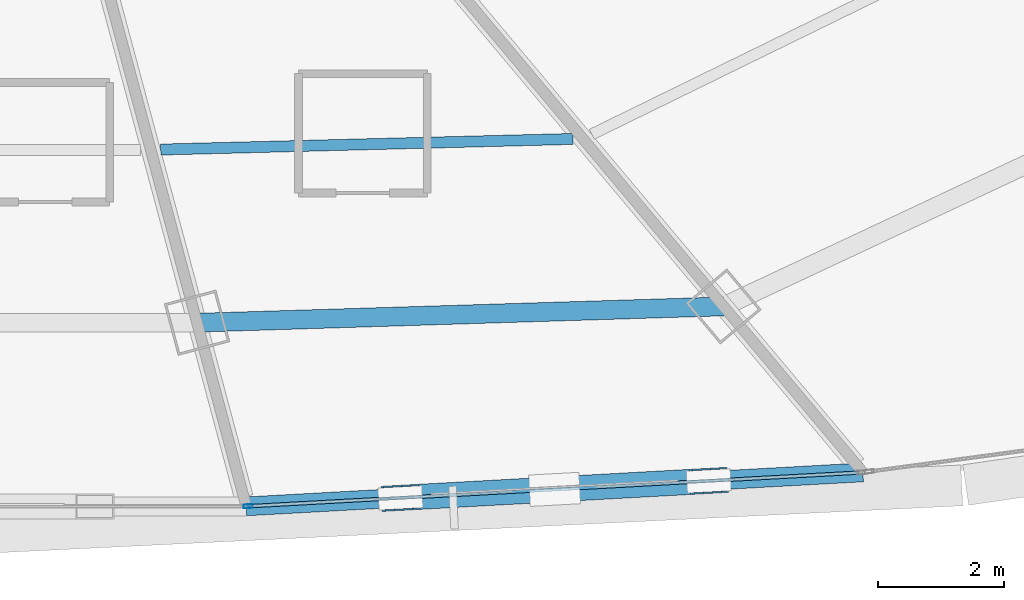
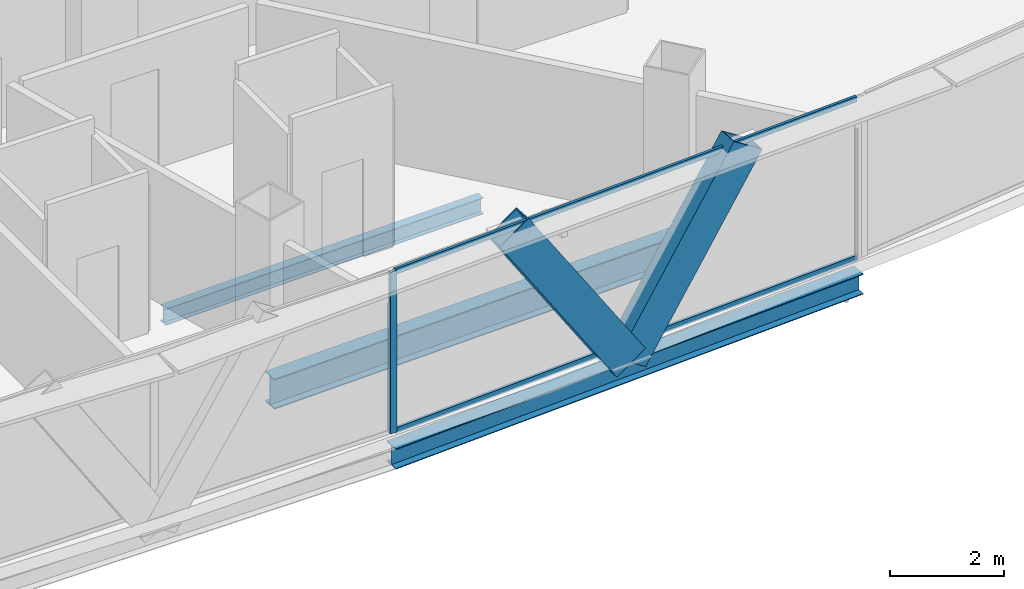
# One storey, part 10 of 34: 5 members, 3 beams, 1 element without a shape of its own.
"""IFC4 building model written with IfcOpenShell, lengths in metres."""

from ifc_helpers import new_model, si_unit, direction, frame, origin, origin_2d, place, context, subcontext, project, spatial, hollow_rectangle, i_section, extrude, source, transform, mapped, material, layer, layer_set, material_profile, profile_set, type_object, element, aggregate, save


model = new_model("IFC4")

# Units and contexts
model_context = context("Model", 3, precision=1e-05, world=origin(), true_north=direction((0.0, 1.0)))
body_context = subcontext(model_context, "Body", "Model", "MODEL_VIEW")
ifc_project = project(units=[si_unit("LENGTHUNIT", "METRE"), si_unit("AREAUNIT", "SQUARE_METRE"), si_unit("VOLUMEUNIT", "CUBIC_METRE"), si_unit("PLANEANGLEUNIT", "RADIAN"), si_unit("MASSUNIT", "GRAM", prefix="KILO"), si_unit("THERMODYNAMICTEMPERATUREUNIT", "KELVIN"), si_unit("POWERUNIT", "WATT")], contexts=[model_context])

# Site, building, storey
site_placement = place(None, origin())
site = spatial("IfcSite", under=ifc_project, at=site_placement, CompositionType="ELEMENT")
building_placement = place(site_placement, origin())
building = spatial("IfcBuilding", under=site, at=building_placement, Name="Yunzhuo Pagoda Commons", CompositionType="ELEMENT")
storey_placement = place(building_placement, frame((0.0, 0.0, 233.340087890625)))
storey = spatial("IfcBuildingStorey", under=building, at=storey_placement, Name="L58", CompositionType="ELEMENT", Elevation=233.340087890625)

# Beams
ifc_material_1 = material(Name="Structural steel Q355B", Category="steel")
ifc_material_profile_1 = material_profile(ifc_material_1, i_section(OverallWidth=0.300048828125, OverallDepth=0.43994140625, WebThickness=0.010986328125, FlangeThickness=0.01806640625, at=origin_2d()), Name="Structural steel Q355B")
ifc_profile_set_1 = profile_set([ifc_material_profile_1], Name="Structural steel Q355B")
beam_type_1 = type_object("IfcBeamType", Name="B-SP2 Beam HM 440x300x11x18", PredefinedType="BEAM", material=ifc_profile_set_1)
shared_shape_1 = source(origin(), body_context, "Body", "SweptSolid", [
    extrude(i_section(OverallWidth=0.300048828125, OverallDepth=0.43994140625, WebThickness=0.010986328125, FlangeThickness=0.01806640625, at=origin_2d()), origin(), (0.0, 0.0, 1.0), 9.823486328125),
])
beam_1_placement = place(storey_placement, frame((52.814208984375, 15.7333984375, -0.47998046875), z_axis=(0.998486395032, 0.054999263048, 0.0), x_axis=(-0.054999263048, 0.998486395032, 0.0)))
element("IfcBeam", 1, at=beam_1_placement, inside=storey, type_object=beam_type_1, Name="L58 facade edge spandrel beam F1.3", PredefinedType="BEAM", context=body_context, shape_type="MappedRepresentation", body=[
    mapped(shared_shape_1, transform((0.0, 0.0, 0.0), scale=1.0)),
])
ifc_material_profile_2 = material_profile(ifc_material_1, i_section(OverallWidth=0.300048828125, OverallDepth=0.64990234375, WebThickness=0.012939453125, FlangeThickness=0.02197265625, at=origin_2d()), Name="Structural steel Q355B")
ifc_profile_set_2 = profile_set([ifc_material_profile_2], Name="Structural steel Q355B")
beam_type_2 = type_object("IfcBeamType", Name="B-RG2 Beam HN 650x300x13x22", PredefinedType="BEAM", material=ifc_profile_set_2)
shared_shape_2 = source(origin(), body_context, "Body", "SweptSolid", [
    extrude(i_section(OverallWidth=0.300048828125, OverallDepth=0.64990234375, WebThickness=0.012939453125, FlangeThickness=0.02197265625, at=origin_2d()), origin(), (0.0, 0.0, 1.0), 8.37939453125),
])
beam_2_placement = place(storey_placement, frame((52.031494140625, 18.654052734375, -0.585205078125), z_axis=(0.999519382133, 0.031000076447, 0.0), x_axis=(-0.031000076447, 0.999519382133, 0.0)))
element("IfcBeam", 2, at=beam_2_placement, inside=storey, type_object=beam_type_2, Name="L58 column-ring beam 3", PredefinedType="BEAM", context=body_context, shape_type="MappedRepresentation", body=[
    mapped(shared_shape_2, transform((0.0, 0.0, 0.0), scale=1.0)),
])
ifc_material_profile_3 = material_profile(ifc_material_1, i_section(OverallWidth=0.175048828125, OverallDepth=0.35009765625, WebThickness=0.007080078125, FlangeThickness=0.010986328125, at=origin_2d()), Name="Structural steel Q355B")
ifc_profile_set_3 = profile_set([ifc_material_profile_3], Name="Structural steel Q355B")
beam_type_3 = type_object("IfcBeamType", Name="B-JS2 Joist HN 350x175x7x11", PredefinedType="JOIST", material=ifc_profile_set_3)
shared_shape_3 = source(origin(), body_context, "Body", "SweptSolid", [
    extrude(i_section(OverallWidth=0.175048828125, OverallDepth=0.35009765625, WebThickness=0.007080078125, FlangeThickness=0.010986328125, at=origin_2d()), origin(), (0.0, 0.0, 1.0), 6.558349609375),
])
beam_3_placement = place(storey_placement, frame((51.45361328125, 21.40869140625, -0.43505859375), z_axis=(0.99966910323, 0.025723220017, 0.0), x_axis=(-0.025723220017, 0.99966910323, 0.0)))
element("IfcBeam", 3, at=beam_3_placement, inside=storey, type_object=beam_type_3, Name="L58 composite ring joist 2.3", PredefinedType="JOIST", context=body_context, shape_type="MappedRepresentation", body=[
    mapped(shared_shape_3, transform((0.0, 0.0, 0.0), scale=1.0)),
])

# Members
ifc_material_profile_4 = material_profile(ifc_material_1, hollow_rectangle(XDim=0.39990234375, YDim=0.719970703125, WallThickness=0.02392578125, at=origin_2d()), Name="Structural steel Q355B")
ifc_profile_set_4 = profile_set([ifc_material_profile_4], Name="Structural steel Q355B")
member_type_1 = type_object("IfcMemberType", Name="M-DL2 Brace BOX 720x400x24", PredefinedType="BRACE", material=ifc_profile_set_4)
shared_shape_4 = source(origin(), body_context, "Body", "SweptSolid", [
    extrude(hollow_rectangle(XDim=0.39990234375, YDim=0.719970703125, WallThickness=0.02392578125, at=origin_2d()), origin(), (0.0, 0.0, 1.0), 4.4658203125),
])
for number, where, z_axis, x_axis, name in (
    (4, (57.718505859375, 16.00341796875, -0.260009765625), (-0.549086128168, -0.030231444532, 0.835218823791), (0.054974485367, -0.998487759544, 0.0), "L58 facade diamond brace F1.3L"),
    (5, (57.718505859375, 16.00341796875, -0.260009765625), (0.549086128168, 0.030231444532, 0.835218823791), (-0.054974485367, 0.998487759544, 0.0), "L58 facade diamond brace F1.3R"),
):
    element("IfcMember", number, at=place(storey_placement, frame(where, z_axis=z_axis, x_axis=x_axis)), inside=storey, type_object=member_type_1, Name=name, PredefinedType="BRACE", context=body_context, shape_type="MappedRepresentation", body=[
        mapped(shared_shape_4, transform((0.0, 0.0, 0.0), scale=1.0)),
    ])

# Curtain wall, members
ifc_material_2 = material(Name="Anodized aluminium 6063-T6", Category="aluminium")
ifc_layer = layer(ifc_material_2, 0.139892578125)
ifc_layer_set = layer_set([ifc_layer], Name="Anodized aluminium 6063-T6")
curtain_wall_type = type_object("IfcCurtainWallType", Name="CW-HI High-Zone Ribbon Curtain Wall", PredefinedType="NOTDEFINED", material=ifc_layer_set)
curtain_wall_placement = place(storey_placement, origin())
curtain_wall = element("IfcCurtainWall", 6, at=curtain_wall_placement, inside=storey, type_object=curtain_wall_type, Name="L58 curtain wall CW-L58-F1B4", PredefinedType="NOTDEFINED")
ifc_material_profile_5 = material_profile(ifc_material_2, hollow_rectangle(XDim=0.06005859375, YDim=0.139892578125, WallThickness=0.00341796875, at=origin_2d()), Name="Anodized aluminium 6063-T6")
ifc_profile_set_5 = profile_set([ifc_material_profile_5], Name="Anodized aluminium 6063-T6")
member_type_2 = type_object("IfcMemberType", Name="CW-HI-M Mullion RHS 140x60x3.5", PredefinedType="MULLION", material=ifc_profile_set_5)
shared_shape_5 = source(origin(), body_context, "Body", "SweptSolid", [
    extrude(hollow_rectangle(XDim=0.06005859375, YDim=0.139892578125, WallThickness=0.00341796875, at=origin_2d()), origin(), (0.0, 0.0, 1.0), 3.469970703125),
])
member_1_placement = place(storey_placement, frame((52.84423828125, 15.73486328125, 0.0), z_axis=(0.0, 0.0, 1.0), x_axis=(-0.054981193813, 0.998487390169, 0.0)))
member_1 = element("IfcMember", 7, at=member_1_placement, type_object=member_type_2, Name="CW mullion 1", PredefinedType="MULLION", context=body_context, shape_type="MappedRepresentation", body=[
    mapped(shared_shape_5, transform((0.0, 0.0, 0.0), scale=1.0)),
])
ifc_material_profile_6 = material_profile(ifc_material_2, hollow_rectangle(XDim=0.054931640625, YDim=0.1201171875, WallThickness=0.00341796875, at=origin_2d()), Name="Anodized aluminium 6063-T6")
ifc_profile_set_6 = profile_set([ifc_material_profile_6], Name="Anodized aluminium 6063-T6")
member_type_3 = type_object("IfcMemberType", Name="CW-HI-T Transom RHS 120x55x3.5", PredefinedType="USERDEFINED", material=ifc_profile_set_6)
shared_shape_6 = source(origin(), body_context, "Body", "SweptSolid", [
    extrude(hollow_rectangle(XDim=0.054931640625, YDim=0.1201171875, WallThickness=0.00341796875, at=origin_2d()), origin(), (0.0, 0.0, 1.0), 9.703369140625),
])
member_2_placement = place(storey_placement, frame((52.8740234375, 15.736572265625, 0.02734375), z_axis=(0.998486332061, 0.055000406246, 0.0), x_axis=(-0.055000406246, 0.998486332061, 0.0)))
member_2 = element("IfcMember", 8, at=member_2_placement, type_object=member_type_3, Name="CW transom 1.1", ObjectType="TRANSOM", PredefinedType="USERDEFINED", context=body_context, shape_type="MappedRepresentation", body=[
    mapped(shared_shape_6, transform((0.0, 0.0, 0.0), scale=1.0)),
])
member_3_placement = place(storey_placement, frame((52.8740234375, 15.736572265625, 3.4423828125), z_axis=(0.998486332061, 0.055000406246, 0.0), x_axis=(-0.055000406246, 0.998486332061, 0.0)))
member_3 = element("IfcMember", 9, at=member_3_placement, type_object=member_type_3, Name="CW transom 1.2", ObjectType="TRANSOM", PredefinedType="USERDEFINED", context=body_context, shape_type="MappedRepresentation", body=[
    mapped(shared_shape_6, transform((0.0, 0.0, 0.0), scale=1.0)),
])
aggregate(curtain_wall, [member_1, member_2, member_3])

save(model, "model.ifc")
